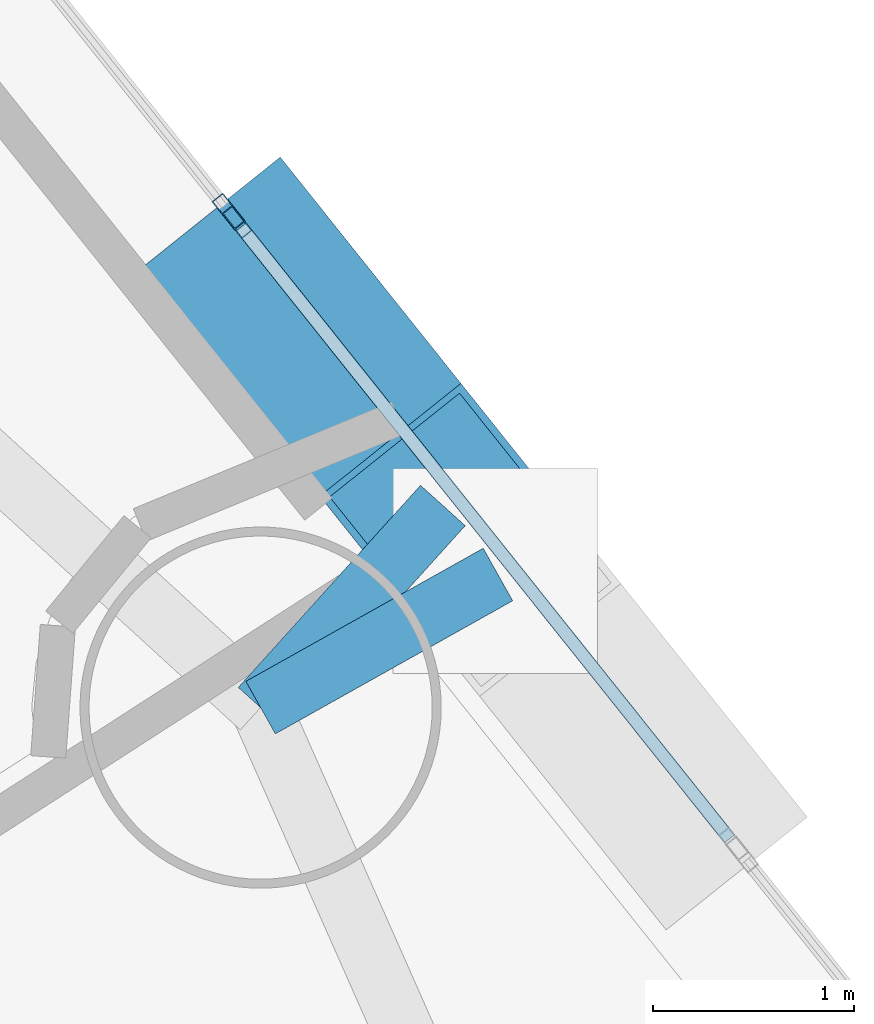
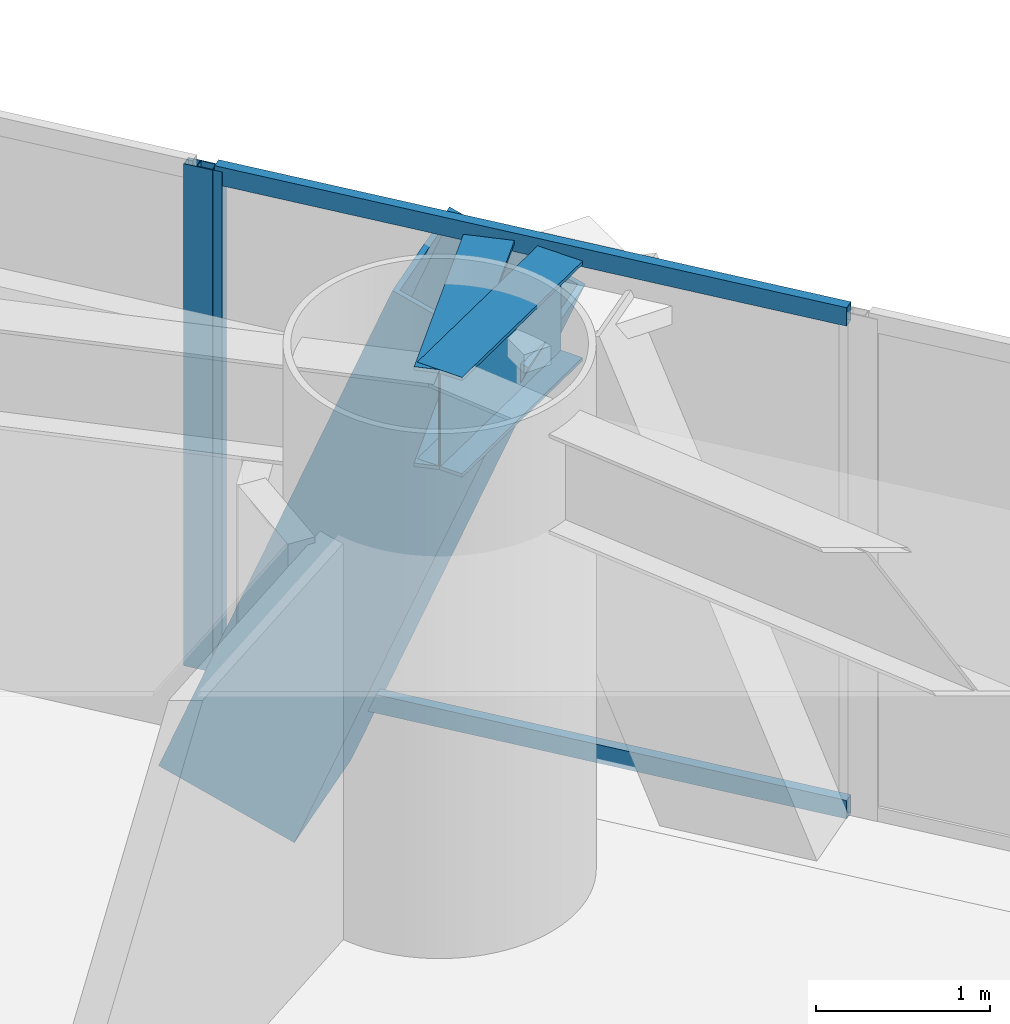
# One storey, part 10 of 23: 5 members, 2 beams, 2 elements without a shape of their own.
"""IFC4 building model written with IfcOpenShell, lengths in metres."""

from ifc_helpers import new_model, si_unit, direction, frame, origin, origin_2d, place, context, subcontext, project, spatial, hollow_rectangle, i_section, extrude, material, layer, layer_set, material_profile, profile_set, type_object, element, aggregate, save


model = new_model("IFC4")

# Units and contexts
model_context = context("Model", 3, precision=1e-05, world=origin(), true_north=direction((0.0, 1.0)))
body_context = subcontext(model_context, "Body", "Model", "MODEL_VIEW")
ifc_project = project(units=[si_unit("LENGTHUNIT", "METRE"), si_unit("AREAUNIT", "SQUARE_METRE"), si_unit("VOLUMEUNIT", "CUBIC_METRE"), si_unit("PLANEANGLEUNIT", "RADIAN"), si_unit("MASSUNIT", "GRAM", prefix="KILO")], contexts=[model_context])

# Site, building, storey
site_placement = place(None, origin())
site = spatial("IfcSite", under=ifc_project, at=site_placement, CompositionType="ELEMENT")
building_placement = place(site_placement, origin())
building = spatial("IfcBuilding", under=site, at=building_placement, Name="Qianvela Tower", CompositionType="ELEMENT")
storey_placement = place(building_placement, frame((0.0, 0.0, 29.39990234375)))
storey = spatial("IfcBuildingStorey", under=building, at=storey_placement, Name="L06", CompositionType="ELEMENT", Elevation=29.39990234375)

# Beams
ifc_material_1 = material(Name="Steel Q355B", Category="steel")
ifc_material_profile_1 = material_profile(ifc_material_1, i_section(OverallWidth=0.300048828125, OverallDepth=0.699951171875, WebThickness=0.012939453125, FlangeThickness=0.02392578125, at=origin_2d()), Name="HN700x300x13x24")
ifc_profile_set_1 = profile_set([ifc_material_profile_1], Name="Steel Q355B")
beam_type = type_object("IfcBeamType", Name="BM-HN700-SPAND", PredefinedType="SPANDREL", material=ifc_profile_set_1)
beam_1_placement = place(storey_placement, frame((47.736083984375, 32.636962890625, 3.168212890625), z_axis=(0.872247965486, 0.489063888163, 0.0), x_axis=(-0.489063888163, 0.872247965486, 0.0)))
element("IfcBeam", 1, at=beam_1_placement, inside=storey, type_object=beam_type, Name="L06 Mega-Brace Column Tie Bracket F1-1", PredefinedType="SPANDREL", context=body_context, shape_type="SweptSolid", body=[
    extrude(i_section(OverallWidth=0.300048828125, OverallDepth=0.699951171875, WebThickness=0.012939453125, FlangeThickness=0.02392578125, at=origin_2d()), origin(), (0.0, 0.0, 1.0), 1.355712890625),
])
beam_2_placement = place(storey_placement, frame((47.736083984375, 32.636962890625, 3.168212890625), z_axis=(0.669799917421, 0.742541628882, 0.0), x_axis=(-0.742541628882, 0.669799917421, 0.0)))
element("IfcBeam", 2, at=beam_2_placement, inside=storey, type_object=beam_type, Name="L06 Mega-Brace Column Tie Bracket F1-2", PredefinedType="SPANDREL", context=body_context, shape_type="SweptSolid", body=[
    extrude(i_section(OverallWidth=0.300048828125, OverallDepth=0.699951171875, WebThickness=0.012939453125, FlangeThickness=0.02392578125, at=origin_2d()), origin(), (0.0, 0.0, 1.0), 1.35595703125),
])

# Curtain wall, members
ifc_material_2 = material(Name="Anodised Architectural Aluminium and Insulated Spandrel Panel", Category="aluminium")
ifc_layer_1 = layer(ifc_material_2, 0.179931640625)
ifc_layer_set_1 = layer_set([ifc_layer_1], Name="Anodised Architectural Aluminium and Insulated Spandrel Panel")
curtain_wall_type_1 = type_object("IfcCurtainWallType", Name="CW-BRACEBAY", PredefinedType="USERDEFINED", material=ifc_layer_set_1)
curtain_wall_1_placement = place(storey_placement, origin())
curtain_wall_1 = element("IfcCurtainWall", 3, at=curtain_wall_1_placement, inside=storey, type_object=curtain_wall_type_1, Name="L06 CW-BRACEBAY Curtain Wall 02B", ObjectType="CURTAIN_WALL_SYSTEM", PredefinedType="USERDEFINED")
ifc_material_3 = material(Name="Anodised Architectural Aluminium 6063-T6", Category="aluminium")
ifc_material_profile_2 = material_profile(ifc_material_3, hollow_rectangle(XDim=0.06494140625, YDim=0.159912109375, WallThickness=0.0048828125, at=origin_2d()), Name="ALU-MULL-65x160")
ifc_profile_set_2 = profile_set([ifc_material_profile_2], Name="Anodised Architectural Aluminium 6063-T6")
member_type_1 = type_object("IfcMemberType", Name="CW-BRACEBAY-MULL", PredefinedType="MULLION", material=ifc_profile_set_2)
member_1_placement = place(storey_placement, frame((47.618896484375, 35.056396484375, 0.0), z_axis=(0.0, 0.0, 1.0), x_axis=(-0.781444647879, -0.623974568634, 0.0)))
member_1 = element("IfcMember", 4, at=member_1_placement, type_object=member_type_1, Name="CW-9 mullion 2", PredefinedType="MULLION", context=body_context, shape_type="SweptSolid", body=[
    extrude(hollow_rectangle(XDim=0.06494140625, YDim=0.159912109375, WallThickness=0.0048828125, at=origin_2d()), origin(), (0.0, 0.0, 1.0), 3.52001953125),
])
ifc_material_4 = material(Name="Anodised Architectural Aluminium 6063-T6", Category="aluminium")
ifc_material_profile_3 = material_profile(ifc_material_4, hollow_rectangle(XDim=0.06494140625, YDim=0.1298828125, WallThickness=0.00439453125, at=origin_2d()), Name="ALU-TRAN-65x130")
ifc_profile_set_3 = profile_set([ifc_material_profile_3], Name="Anodised Architectural Aluminium 6063-T6")
member_type_2 = type_object("IfcMemberType", Name="CW-BRACEBAY-TRAN", PredefinedType="USERDEFINED", material=ifc_profile_set_3)
member_2_placement = place(storey_placement, frame((50.072509765625, 31.9833984375, 0.03271484375), z_axis=(-0.623954230671, 0.781460887074, 0.0), x_axis=(-0.781460887074, -0.623954230671, 0.0)))
member_2 = element("IfcMember", 5, at=member_2_placement, type_object=member_type_2, Name="CW-9 transom 1.1", ObjectType="TRANSOM", PredefinedType="USERDEFINED", context=body_context, shape_type="SweptSolid", body=[
    extrude(hollow_rectangle(XDim=0.06494140625, YDim=0.1298828125, WallThickness=0.00439453125, at=origin_2d()), origin(), (0.0, 0.0, 1.0), 3.89990234375),
])
member_3_placement = place(storey_placement, frame((50.072509765625, 31.9833984375, 3.487548828125), z_axis=(-0.623954230671, 0.781460887074, 0.0), x_axis=(-0.781460887074, -0.623954230671, 0.0)))
member_3 = element("IfcMember", 6, at=member_3_placement, type_object=member_type_2, Name="CW-9 transom 1.2", ObjectType="TRANSOM", PredefinedType="USERDEFINED", context=body_context, shape_type="SweptSolid", body=[
    extrude(hollow_rectangle(XDim=0.06494140625, YDim=0.1298828125, WallThickness=0.00439453125, at=origin_2d()), origin(), (0.0, 0.0, 1.0), 3.89990234375),
])
aggregate(curtain_wall_1, [member_1, member_2, member_3])

# Curtain wall, member
ifc_material_5 = material(Name="Anodised Architectural Aluminium and Low-E Glass", Category="aluminium")
ifc_layer_2 = layer(ifc_material_5, 0.179931640625)
ifc_layer_set_2 = layer_set([ifc_layer_2], Name="Anodised Architectural Aluminium and Low-E Glass")
curtain_wall_type_2 = type_object("IfcCurtainWallType", Name="CW-COLIV-Z12", PredefinedType="USERDEFINED", material=ifc_layer_set_2)
curtain_wall_2_placement = place(storey_placement, origin())
curtain_wall_2 = element("IfcCurtainWall", 7, at=curtain_wall_2_placement, inside=storey, type_object=curtain_wall_type_2, Name="L06 CW-COLIV-Z12 Curtain Wall 02C", ObjectType="CURTAIN_WALL_SYSTEM", PredefinedType="USERDEFINED")
ifc_material_6 = material(Name="Anodised Architectural Aluminium 6063-T6", Category="aluminium")
ifc_material_profile_4 = material_profile(ifc_material_6, hollow_rectangle(XDim=0.070068359375, YDim=0.179931640625, WallThickness=0.0048828125, at=origin_2d()), Name="ALU-MULL-70x180")
ifc_profile_set_4 = profile_set([ifc_material_profile_4], Name="Anodised Architectural Aluminium 6063-T6")
member_type_3 = type_object("IfcMemberType", Name="CW-COLIV-Z12-MULL", PredefinedType="MULLION", material=ifc_profile_set_4)
member_4_placement = place(storey_placement, frame((47.57666015625, 35.109130859375, 0.0), z_axis=(0.0, 0.0, 1.0), x_axis=(-0.781444431987, -0.623974839009, 0.0)))
member_4 = element("IfcMember", 8, at=member_4_placement, type_object=member_type_3, Name="CW-3 mullion 1", PredefinedType="MULLION", context=body_context, shape_type="SweptSolid", body=[
    extrude(hollow_rectangle(XDim=0.070068359375, YDim=0.179931640625, WallThickness=0.0048828125, at=origin_2d()), origin(), (0.0, 0.0, 1.0), 3.52001953125),
])
aggregate(curtain_wall_2, [member_4])

# Member
ifc_material_7 = material(Name="Steel Q420GJC", Category="steel")
ifc_material_profile_5 = material_profile(ifc_material_7, hollow_rectangle(XDim=0.89990234375, YDim=0.89990234375, WallThickness=0.035888671875, at=origin_2d()), Name="MBOX-900x900x36")
ifc_profile_set_5 = profile_set([ifc_material_profile_5], Name="Steel Q420GJC")
member_type_4 = type_object("IfcMemberType", Name="MBR-MBRACE-900", PredefinedType="BRACE", material=ifc_profile_set_5)
member_5_placement = place(storey_placement, frame((47.743896484375, 34.771240234375, -0.531982421875), z_axis=(0.226709676795, -0.283878874035, 0.931673498241), x_axis=(0.781396785482, 0.624034505166, 0.0)))
element("IfcMember", 9, at=member_5_placement, inside=storey, type_object=member_type_4, Name="L06 Tier 1 Exterior Mega-Brace F1B", PredefinedType="BRACE", context=body_context, shape_type="SweptSolid", body=[
    extrude(hollow_rectangle(XDim=0.89990234375, YDim=0.89990234375, WallThickness=0.035888671875, at=origin_2d()), origin(), (0.0, 0.0, 1.0), 3.9716796875),
])

save(model, "model.ifc")
